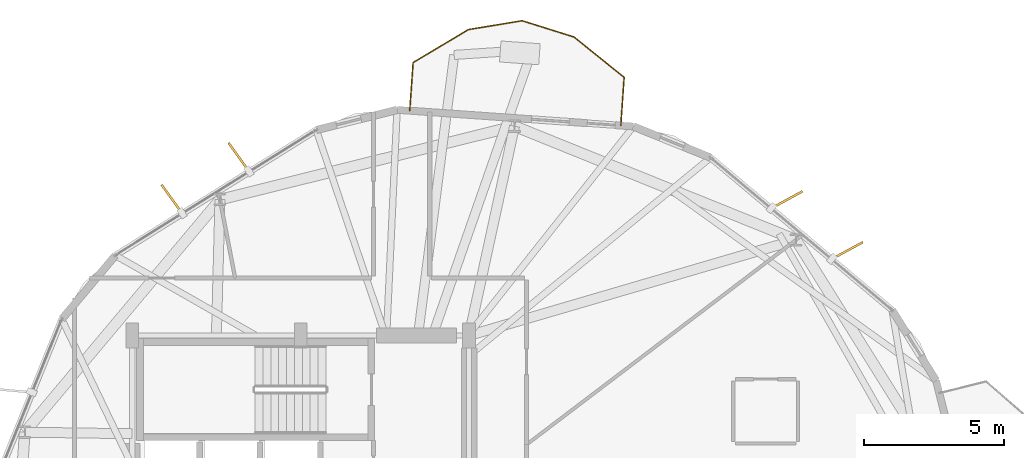
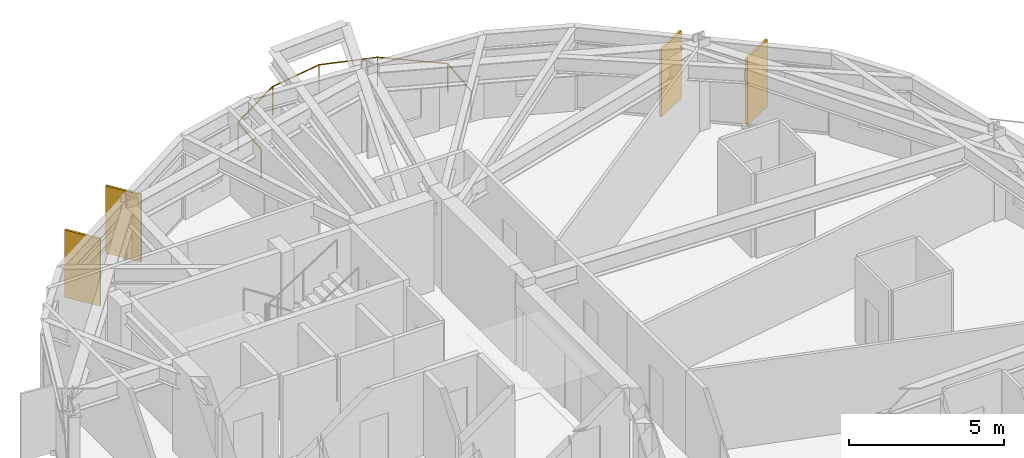
# One storey, part 22 of 22: 4 shading devices, 1 railing.
"""IFC4 building model written with IfcOpenShell, lengths in metres."""

from ifc_helpers import new_model, si_unit, direction, frame, origin, origin_2d, place, context, subcontext, project, spatial, rectangle, circle, extrude, material, layer, layer_set, type_object, element, save


model = new_model("IFC4")

# Units and contexts
model_context = context("Model", 3, precision=1e-05, world=origin(), true_north=direction((0.0, 1.0)))
body_context = subcontext(model_context, "Body", "Model", "MODEL_VIEW")
ifc_project = project(units=[si_unit("LENGTHUNIT", "METRE"), si_unit("AREAUNIT", "SQUARE_METRE"), si_unit("VOLUMEUNIT", "CUBIC_METRE"), si_unit("PLANEANGLEUNIT", "RADIAN"), si_unit("MASSUNIT", "GRAM", prefix="KILO")], contexts=[model_context])

# Site, building, storey
site_placement = place(None, origin())
site = spatial("IfcSite", under=ifc_project, at=site_placement, CompositionType="ELEMENT")
building_placement = place(site_placement, origin())
building = spatial("IfcBuilding", under=site, at=building_placement, Name="Soratama Intermodal Tower", CompositionType="ELEMENT")
storey_placement = place(building_placement, frame((0.0, 0.0, 157.0)))
storey = spatial("IfcBuildingStorey", under=building, at=storey_placement, Name="L38", CompositionType="ELEMENT", Elevation=157.0)

# Railing
ifc_material_1 = material(Name="Laminated glass and stainless steel balustrade", Category="steel")
railing_type = type_object("IfcRailingType", Name="RL-BAL-1150", PredefinedType="BALUSTRADE", material=ifc_material_1)
railing_placement = place(storey_placement, frame((42.486083984375, 43.009033203125, 0.0)))
element("IfcRailing", 1, at=railing_placement, inside=storey, type_object=railing_type, Name="L38 Balcony Balustrade 2", PredefinedType="BALUSTRADE", context=body_context, shape_type="SweptSolid", body=[
    extrude(circle(Radius=0.02392578125, at=origin_2d()), frame((0.0, 0.0, 1.1259765625), z_axis=(0.070117265977, 0.997538755644, 0.0), x_axis=(-0.997538755644, 0.070117265977, 0.0)), (0.0, 0.0, 1.0), 1.719970703125),
    extrude(circle(Radius=0.02392578125, at=origin_2d()), frame((0.12060546875, 1.7158203125, 1.1259765625), z_axis=(0.859009022922, 0.511960446264, 0.0), x_axis=(-0.511960446264, 0.859009022922, 0.0)), (0.0, 0.0, 1.0), 2.296142578125),
    extrude(circle(Radius=0.02392578125, at=origin_2d()), frame((2.093017578125, 2.891357421875, 1.1259765625), z_axis=(0.986641374561, 0.162907329499, 0.0), x_axis=(-0.162907329499, 0.986641374561, 0.0)), (0.0, 0.0, 1.0), 1.937744140625),
    extrude(circle(Radius=0.02392578125, at=origin_2d()), frame((4.0048828125, 3.20703125, 1.1259765625), z_axis=(0.954152131484, -0.299322084025, 0.0), x_axis=(0.299322084025, 0.954152131484, 0.0)), (0.0, 0.0, 1.0), 1.93798828125),
    extrude(circle(Radius=0.02392578125, at=origin_2d()), frame((5.85400390625, 2.626953125, 1.1259765625), z_axis=(0.778935678401, -0.627103826264, 0.0), x_axis=(0.627103826264, 0.778935678401, 0.0)), (0.0, 0.0, 1.0), 2.296142578125),
    extrude(circle(Radius=0.02392578125, at=origin_2d()), frame((7.642578125, 1.18701171875, 1.1259765625), z_axis=(-0.070127195174, -0.997538057668, 0.0), x_axis=(0.997538057668, -0.070127195174, 0.0)), (0.0, 0.0, 1.0), 1.7197265625),
    extrude(circle(Radius=0.02099609375, at=origin_2d()), origin(), (0.0, 0.0, 1.0), 1.101806640625),
    extrude(circle(Radius=0.02099609375, at=origin_2d()), frame((0.12060546875, 1.7158203125, 0.0)), (0.0, 0.0, 1.0), 1.101806640625),
    extrude(circle(Radius=0.02099609375, at=origin_2d()), frame((2.093017578125, 2.891357421875, 0.0)), (0.0, 0.0, 1.0), 1.101806640625),
    extrude(circle(Radius=0.02099609375, at=origin_2d()), frame((4.0048828125, 3.20703125, 0.0)), (0.0, 0.0, 1.0), 1.101806640625),
    extrude(circle(Radius=0.02099609375, at=origin_2d()), frame((5.85400390625, 2.626953125, 0.0)), (0.0, 0.0, 1.0), 1.101806640625),
    extrude(circle(Radius=0.02099609375, at=origin_2d()), frame((7.642578125, 1.18701171875, 0.0)), (0.0, 0.0, 1.0), 1.101806640625),
    extrude(circle(Radius=0.02099609375, at=origin_2d()), frame((7.52197265625, -0.528564453125, 0.0)), (0.0, 0.0, 1.0), 1.101806640625),
])

# Shading devices
ifc_material_2 = material(Name="Champagne anodised aluminium solar fin", Category="aluminium")
ifc_layer = layer(ifc_material_2, 0.080078125)
ifc_layer_set = layer_set([ifc_layer], Name="Champagne anodised aluminium solar fin")
shading_device_type = type_object("IfcShadingDeviceType", Name="SH-FIN-1250", PredefinedType="USERDEFINED", material=ifc_layer_set)
for number, where, z_axis, x_axis, name in (
    (2, (58.08251953125, 38.02685546875, 0.02001953125), (0.0, 0.0, 1.0), (0.877982975428, 0.478691857941, 0.0), "L38 Solar Fin F01-1"),
    (3, (55.927978515625, 39.836181640625, 0.02001953125), (0.0, 0.0, 1.0), (0.877982975428, 0.478691857941, 0.0), "L38 Solar Fin F01-2"),
    (4, (36.3955078125, 41.357421875, 0.02001953125), (0.0, 0.0, 1.0), (-0.583966337286, 0.811777874123, 0.0), "L38 Solar Fin F03-1"),
    (5, (34.0087890625, 39.8671875, 0.02001953125), (0.0, 0.0, 1.0), (-0.583966337286, 0.811777874123, 0.0), "L38 Solar Fin F03-2"),
):
    element("IfcShadingDevice", number, at=place(storey_placement, frame(where, z_axis=z_axis, x_axis=x_axis)), inside=storey, type_object=shading_device_type, Name=name, ObjectType="FIN", PredefinedType="USERDEFINED", context=body_context, shape_type="SweptSolid", body=[
        extrude(rectangle(XDim=1.25, YDim=0.080078125, at=origin_2d()), origin(), (0.0, 0.0, 1.0), 2.658935546875),
    ])

save(model, "model.ifc")
